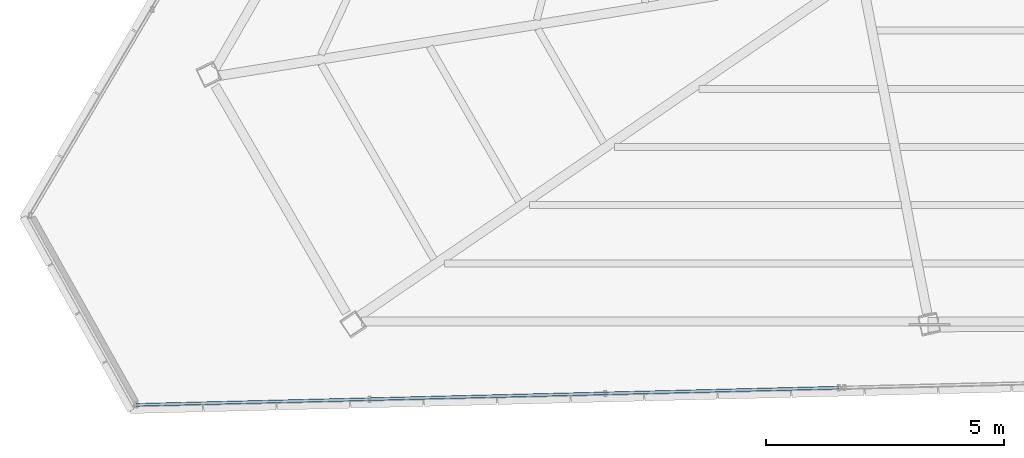
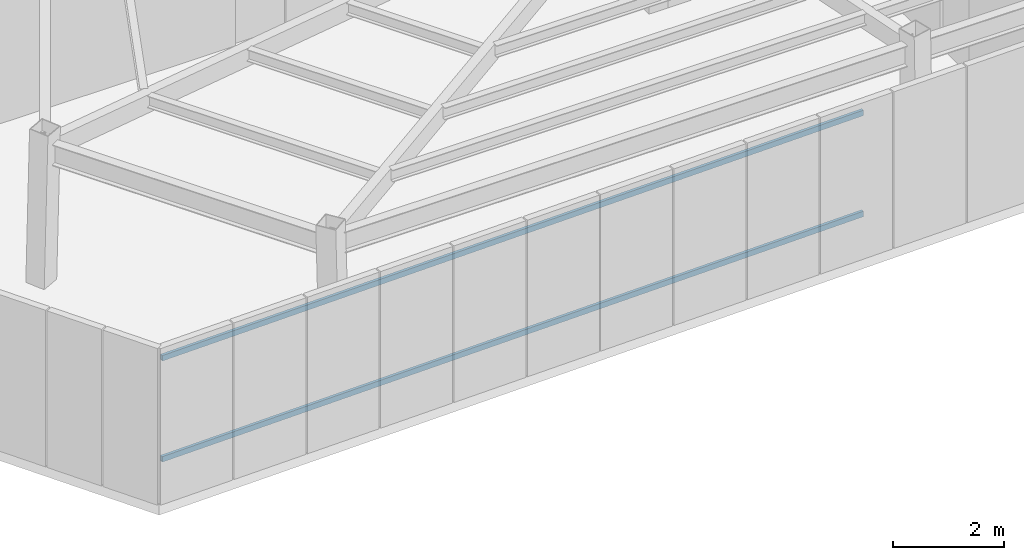
# One storey, part 4 of 44: 2 members, 1 element without a shape of its own.
"""IFC4 building model written with IfcOpenShell, lengths in metres."""

import ifcopenshell
import ifcopenshell.guid

model = None  # the IFC model being written
_history = None  # IfcOwnerHistory: only IFC2X3 demands one
_inside = {}  # id of a spatial element -> (the spatial element, [elements in it])
_under = {}  # id of a project, library or spatial element -> (it, [spatial elements below it])
_declared = {}  # id of a project -> (the project, [libraries it declares])
_typed = {}  # id of a type object -> (the type object, [elements of that type])
_made_of = {}  # id of a material, layer set ... -> (it, [elements and type objects made of it])


def new_model(schema):
    """Start an empty IFC model of exactly this schema.

    Asked for "IFC4X3", IfcOpenShell would pick the latest addendum, in which some entities
    have other attributes; the version numbers below select the first issue.
    IFC2X3 requires an IfcOwnerHistory on every rooted entity: one is made here for all.
    """
    global model, _history
    if schema == "IFC4X3":
        model = ifcopenshell.file(schema_version=(4, 3, 0, 0))
    else:
        model = ifcopenshell.file(schema=schema)
    _inside.clear()
    _under.clear()
    _declared.clear()
    _typed.clear()
    _made_of.clear()
    _history = None
    if model.schema == "IFC2X3":
        org = make("IfcOrganization", Name="unknown")
        user = make(
            "IfcPersonAndOrganization",
            ThePerson=make("IfcPerson", FamilyName="unknown"),
            TheOrganization=org,
        )
        app = make(
            "IfcApplication",
            ApplicationDeveloper=org,
            Version="unknown",
            ApplicationFullName="unknown",
            ApplicationIdentifier="unknown",
        )
        _history = make(
            "IfcOwnerHistory",
            OwningUser=user,
            OwningApplication=app,
            ChangeAction="ADDED",
            CreationDate=0,
        )
    return model


def make(cls, **values):
    """One entity of the class cls with the attributes given. An attribute that is None is left unset."""
    return model.create_entity(
        cls, **{name: value for name, value in values.items() if value is not None}
    )


def rooted(cls, **values):
    """An entity with a GlobalId (a new one), such as an element, a storey or a relation."""
    return make(cls, GlobalId=ifcopenshell.guid.new(), OwnerHistory=_history, **values)


def si_unit(unit_type, name, prefix=None):
    """IfcSIUnit, for example si_unit("LENGTHUNIT", "METRE", prefix="MILLI")."""
    return make("IfcSIUnit", UnitType=unit_type, Prefix=prefix, Name=name)


def assignment(units):
    """IfcUnitAssignment: the units of a project."""
    return None if units is None else make("IfcUnitAssignment", Units=units)


def point(xyz):
    """IfcCartesianPoint."""
    return None if xyz is None else make("IfcCartesianPoint", Coordinates=xyz)


def direction(xyz):
    """IfcDirection."""
    return None if xyz is None else make("IfcDirection", DirectionRatios=xyz)


def frame(location, z_axis=None, x_axis=None):
    """IfcAxis2Placement3D, a coordinate frame: its origin and axes. An axis left out is left unset."""
    return make(
        "IfcAxis2Placement3D",
        Location=point(location),
        Axis=direction(z_axis),
        RefDirection=direction(x_axis),
    )


def frame_2d(location, x_axis=None):
    """IfcAxis2Placement2D, a coordinate frame in the plane: its origin and x axis."""
    return make(
        "IfcAxis2Placement2D", Location=point(location), RefDirection=direction(x_axis)
    )


def origin():
    """The frame at (0, 0, 0) with its axes left unset."""
    return frame((0.0, 0.0, 0.0))


def origin_2d():
    """The frame at (0, 0) in the plane with its x axis left unset."""
    return frame_2d((0.0, 0.0))


def place(relative_to, where):
    """IfcLocalPlacement: puts the frame where relative to a parent placement (None: the world)."""
    return make(
        "IfcLocalPlacement", PlacementRelTo=relative_to, RelativePlacement=where
    )


def context(
    kind, dimensions, precision=None, world=None, true_north=None, identifier=None
):
    """IfcGeometricRepresentationContext, for example the 3D "Model" context."""
    return make(
        "IfcGeometricRepresentationContext",
        ContextIdentifier=identifier,
        ContextType=kind,
        CoordinateSpaceDimension=dimensions,
        Precision=precision,
        WorldCoordinateSystem=world,
        TrueNorth=true_north,
    )


def subcontext(parent, identifier, kind, view, scale=None):
    """IfcGeometricRepresentationSubContext, for example "Body" below "Model"."""
    return make(
        "IfcGeometricRepresentationSubContext",
        ContextIdentifier=identifier,
        ContextType=kind,
        ParentContext=parent,
        TargetScale=scale,
        TargetView=view,
    )


def project(units=None, contexts=None):
    """IfcProject with its units and contexts."""
    return rooted(
        "IfcProject",
        Name="project",
        RepresentationContexts=contexts,
        UnitsInContext=assignment(units),
    )


def spatial(cls, under=None, at=None, **own):
    """A site, building, storey or space (cls), placed at a placement, below another one or the project."""
    s = rooted(cls, ObjectPlacement=at, **own)
    if under is not None:
        _under.setdefault(under.id(), (under, []))[1].append(s)
    return s


def profile(cls, at=None, kind="AREA", **sizes):
    """A parametric profile (cls). Its sizes go by their IFC names, for example OverallWidth=200.0."""
    return make(cls, ProfileType=kind, Position=at, **sizes)


def hollow_rectangle(**sizes):
    """IfcRectangleHollowProfileDef."""
    return profile("IfcRectangleHollowProfileDef", **sizes)


def extrude(swept, where, along, depth):
    """IfcExtrudedAreaSolid: the profile swept, set in the frame where, extruded along a direction by depth."""
    return make(
        "IfcExtrudedAreaSolid",
        SweptArea=swept,
        Position=where,
        ExtrudedDirection=direction(along),
        Depth=depth,
    )


def shape(context_of_items, identifier, shape_type, items):
    """IfcShapeRepresentation: the items that make up one representation, for example the "Body"."""
    return make(
        "IfcShapeRepresentation",
        ContextOfItems=context_of_items,
        RepresentationIdentifier=identifier,
        RepresentationType=shape_type,
        Items=items,
    )


def source(mapping_origin, context_of_items, identifier, shape_type, items):
    """IfcRepresentationMap: a shape defined once, which mapped items show again and again."""
    return make(
        "IfcRepresentationMap",
        MappingOrigin=mapping_origin,
        MappedRepresentation=shape(context_of_items, identifier, shape_type, items),
    )


def transform(
    local_origin,
    x_axis=None,
    y_axis=None,
    z_axis=None,
    scale=None,
    scale2=None,
    scale3=None,
    uniform=True,
):
    """IfcCartesianTransformationOperator3D, or its non-uniform kind. x_axis, y_axis, z_axis: its Axis1, 2, 3."""
    if uniform:
        return make(
            "IfcCartesianTransformationOperator3D",
            Axis1=direction(x_axis),
            Axis2=direction(y_axis),
            LocalOrigin=point(local_origin),
            Scale=scale,
            Axis3=direction(z_axis),
        )
    return make(
        "IfcCartesianTransformationOperator3DnonUniform",
        Axis1=direction(x_axis),
        Axis2=direction(y_axis),
        LocalOrigin=point(local_origin),
        Scale=scale,
        Axis3=direction(z_axis),
        Scale2=scale2,
        Scale3=scale3,
    )


def mapped(mapping_source, mapping_target):
    """IfcMappedItem: shows the shape of a source again, moved by a transform."""
    return make(
        "IfcMappedItem", MappingSource=mapping_source, MappingTarget=mapping_target
    )


def material(Name=None, Category=None):
    """IfcMaterial."""
    return make("IfcMaterial", Name=Name, Category=Category)


def material_profile(
    of_material, cross_section, Name=None, Category=None, Priority=None
):
    """IfcMaterialProfile: a cross section and its material."""
    return make(
        "IfcMaterialProfile",
        Name=Name,
        Material=of_material,
        Profile=cross_section,
        Priority=Priority,
        Category=Category,
    )


def profile_set(profiles, Name=None, composite=None):
    """IfcMaterialProfileSet."""
    return make(
        "IfcMaterialProfileSet",
        Name=Name,
        MaterialProfiles=profiles,
        CompositeProfile=composite,
    )


def made_of(thing, what):
    """Note that an element or type object is made of a material, layer set ...; save() writes the relation."""
    if what is not None:
        _made_of.setdefault(what.id(), (what, []))[1].append(thing)
    return thing


def type_object(cls, material=None, **own):
    """A type object (cls), such as IfcWallType, which elements share."""
    return made_of(rooted(cls, **own), material)


def type_shapes(of_type, sources):
    """Give a type object the sources (RepresentationMaps) that its elements show as mapped items."""
    of_type.RepresentationMaps = sources


def element(
    cls,
    number,
    at=None,
    inside=None,
    cuts=None,
    type_object=None,
    material=None,
    context=None,
    identifier="Body",
    shape_type=None,
    held_by="IfcProductDefinitionShape",
    body=None,
    shapes=None,
    **own,
):
    """One element of the class cls, such as IfcWall. Its Tag is "e" and its number.

    at: its placement. inside: the storey or other place that contains it. cuts: it is an
    opening in that element (IfcRelVoidsElement). A single representation is given by context,
    identifier, shape_type and body (its items); several are given by shapes. held_by: the class
    of the entity that holds the representations. save() writes the other relations.
    """
    e = rooted(cls, Tag="e%d" % number, ObjectPlacement=at, **own)
    if body is not None:
        shapes = [shape(context, identifier, shape_type, body)]
    if shapes is not None:
        e.Representation = make(held_by, Representations=shapes)
    if inside is not None:
        _inside.setdefault(inside.id(), (inside, []))[1].append(e)
    if cuts is not None:
        rooted(
            "IfcRelVoidsElement", RelatingBuildingElement=cuts, RelatedOpeningElement=e
        )
    if type_object is not None:
        _typed.setdefault(type_object.id(), (type_object, []))[1].append(e)
    return made_of(e, material)


def aggregate(whole, parts):
    """IfcRelAggregates: a whole, such as a stair, and the parts it consists of."""
    return rooted("IfcRelAggregates", RelatingObject=whole, RelatedObjects=parts)


def save(model, path):
    """Write the relations noted so far, then the file.

    IfcRelAggregates (storeys below a building ...), IfcRelContainedInSpatialStructure (elements
    in a storey), IfcRelDefinesByType, IfcRelAssociatesMaterial and IfcRelDeclares: one each for
    every whole, place, type object, material and project.
    """
    for whole, parts in _under.values():
        aggregate(whole, parts)
    for where, things in _inside.values():
        rooted(
            "IfcRelContainedInSpatialStructure",
            RelatedElements=things,
            RelatingStructure=where,
        )
    for kind, things in _typed.values():
        rooted("IfcRelDefinesByType", RelatedObjects=things, RelatingType=kind)
    for what, things in _made_of.values():
        rooted("IfcRelAssociatesMaterial", RelatedObjects=things, RelatingMaterial=what)
    for by, libraries in _declared.values():
        rooted("IfcRelDeclares", RelatingContext=by, RelatedDefinitions=libraries)
    model.write(path)


model = new_model("IFC4")

# Units and contexts
model_context = context("Model", 3, precision=1e-05, world=origin(), true_north=direction((0.0, 1.0)))
body_context = subcontext(model_context, "Body", "Model", "MODEL_VIEW")
ifc_project = project(units=[si_unit("LENGTHUNIT", "METRE"), si_unit("AREAUNIT", "SQUARE_METRE"), si_unit("VOLUMEUNIT", "CUBIC_METRE"), si_unit("PLANEANGLEUNIT", "RADIAN"), si_unit("MASSUNIT", "GRAM", prefix="KILO")], contexts=[model_context])

# Site, building, storey
site_placement = place(None, origin())
site = spatial("IfcSite", under=ifc_project, at=site_placement, CompositionType="ELEMENT")
building_placement = place(site_placement, origin())
building = spatial("IfcBuilding", under=site, at=building_placement, Name="Caelisora Broadcast Tower", CompositionType="ELEMENT")
storey_placement = place(building_placement, frame((0.0, 0.0, 289.800048828125)))
storey = spatial("IfcBuildingStorey", under=building, at=storey_placement, Name="L76", CompositionType="ELEMENT", Elevation=289.800048828125)

# Curtain wall, members
ifc_material_1 = material(Name="Unitised Aluminium Insulated Shadow-Box Spandrel Curtain Wall", Category="aluminium")
curtain_wall_type = type_object("IfcCurtainWallType", Name="CW-SP3", PredefinedType="NOTDEFINED", material=ifc_material_1)
curtain_wall_placement = place(storey_placement, origin())
curtain_wall = element("IfcCurtainWall", 1, at=curtain_wall_placement, inside=storey, type_object=curtain_wall_type, Name="L76 curtain wall CW-SP3", PredefinedType="NOTDEFINED")
ifc_material_2 = material(Name="Aluminium 6063-T6 Anodised Terracotta Bronze", Category="aluminium")
ifc_material_profile = material_profile(ifc_material_2, hollow_rectangle(XDim=0.06005859375, YDim=0.1201171875, WallThickness=0.0029296875, at=origin_2d()), Name="Aluminium 6063-T6 Anodised Terracotta Bronze")
ifc_profile_set = profile_set([ifc_material_profile], Name="Aluminium 6063-T6 Anodised Terracotta Bronze")
member_type = type_object("IfcMemberType", Name="CWT-03", PredefinedType="USERDEFINED", material=ifc_profile_set)
shared_shape = source(origin(), body_context, "Body", "SweptSolid", [
    extrude(hollow_rectangle(XDim=0.06005859375, YDim=0.1201171875, WallThickness=0.0029296875, at=origin_2d()), origin(), (0.0, 0.0, 1.0), 14.781494140625),
])
type_shapes(member_type, [shared_shape])
member_1_placement = place(storey_placement, frame((30.041015625, 8.670654296875, 0.849853515625), z_axis=(-0.999699164833, -0.02452712442, 0.0), x_axis=(0.02452712442, -0.999699164833, 0.0)))
member_1 = element("IfcMember", 2, at=member_1_placement, type_object=member_type, Name="L76-CW-B07 transom #1", ObjectType="TRANSOM", PredefinedType="USERDEFINED", context=body_context, shape_type="MappedRepresentation", body=[
    mapped(shared_shape, transform((0.0, 0.0, 0.0), scale=1.0)),
])
member_2_placement = place(storey_placement, frame((30.041015625, 8.670654296875, 3.070068359375), z_axis=(-0.999699164833, -0.02452712442, 0.0), x_axis=(0.02452712442, -0.999699164833, 0.0)))
member_2 = element("IfcMember", 3, at=member_2_placement, type_object=member_type, Name="L76-CW-B07 transom #2", ObjectType="TRANSOM", PredefinedType="USERDEFINED", context=body_context, shape_type="MappedRepresentation", body=[
    mapped(shared_shape, transform((0.0, 0.0, 0.0), scale=1.0)),
])
aggregate(curtain_wall, [member_1, member_2])

save(model, "model.ifc")
